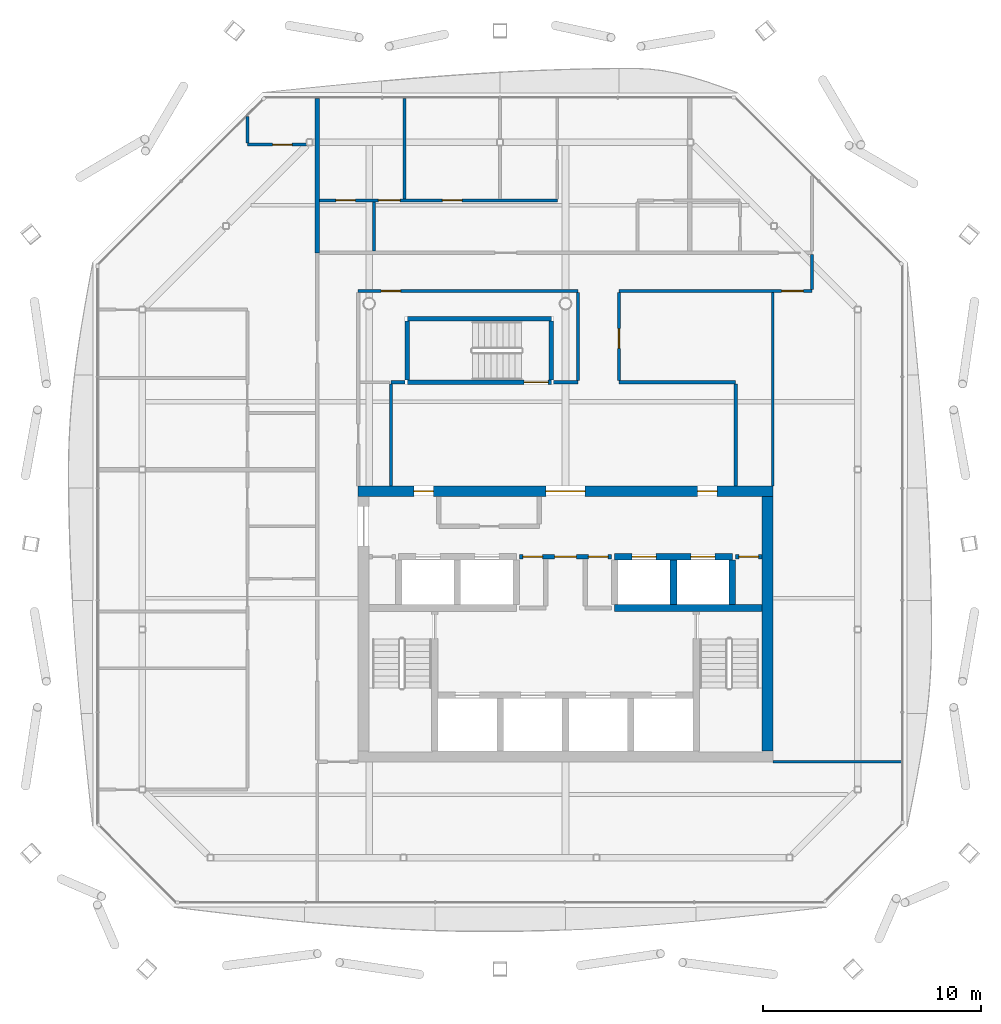
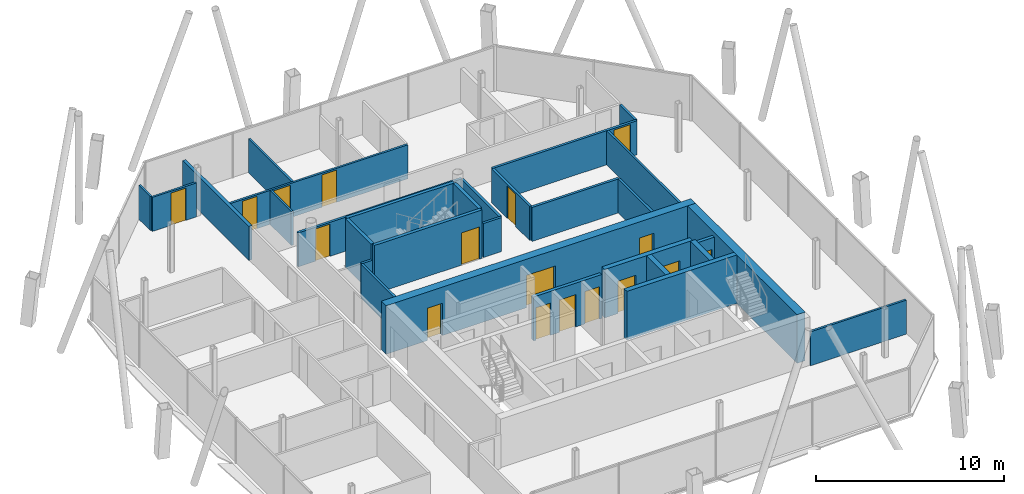
# One storey, part 13 of 17: 30 walls, 17 doors, 17 openings.
"""IFC4 building model written with IfcOpenShell, lengths in metres."""

from ifc_helpers import new_model, si_unit, direction, frame, frame_2d, origin, place, context, subcontext, project, spatial, rectangle, extrude, material, layer, layer_set, type_object, element, fill, save


model = new_model("IFC4")

# Units and contexts
model_context = context("Model", 3, precision=1e-05, world=origin(), true_north=direction((0.0, 1.0)))
body_context = subcontext(model_context, "Body", "Model", "MODEL_VIEW")
ifc_project = project(units=[si_unit("LENGTHUNIT", "METRE"), si_unit("AREAUNIT", "SQUARE_METRE"), si_unit("VOLUMEUNIT", "CUBIC_METRE"), si_unit("PLANEANGLEUNIT", "RADIAN"), si_unit("MASSUNIT", "GRAM", prefix="KILO")], contexts=[model_context])

# Site, building, storey
site_placement = place(None, origin())
site = spatial("IfcSite", under=ifc_project, at=site_placement, CompositionType="ELEMENT")
building_placement = place(site_placement, origin())
building = spatial("IfcBuilding", under=site, at=building_placement, Name="Tskaro Facet Tower", CompositionType="ELEMENT")
storey_placement = place(building_placement, frame((0.0, 0.0, 226.64990234375)))
storey = spatial("IfcBuildingStorey", under=building, at=storey_placement, Name="L58", CompositionType="ELEMENT", Elevation=226.64990234375)

# Wall
ifc_material_1 = material(Name="Concrete C60/75", Category="concrete")
ifc_layer_1 = layer(ifc_material_1, 0.300048828125, Name="Concrete C60/75")
ifc_layer_set_1 = layer_set([ifc_layer_1], Name="Concrete C60/75")
wall_type_1 = type_object("IfcWallType", Name="CORE-SHAFT", PredefinedType="SHEAR", material=ifc_layer_set_1)
wall_1_placement = place(storey_placement, frame((2.25, -4.949951171875, 0.0), z_axis=(0.0, 0.0, 1.0), x_axis=(1.0, 0.0, 0.0)))
element("IfcWall", 1, at=wall_1_placement, inside=storey, type_object=wall_type_1, Name="Shaft wall W011", PredefinedType="SHEAR", context=body_context, shape_type="SweptSolid", body=[
    extrude(rectangle(XDim=6.75, YDim=0.300048828125, at=frame_2d((3.375, 0.0))), origin(), (0.0, 0.0, 1.0), 3.150146484375),
])

# Wall, openings, doors
wall_2_placement = place(storey_placement, frame((2.25, -2.60009765625, 0.0), z_axis=(0.0, 0.0, 1.0), x_axis=(1.0, 0.0, 0.0)))
wall_2 = element("IfcWall", 2, at=wall_2_placement, inside=storey, type_object=wall_type_1, Name="Shaft wall W016", PredefinedType="SHEAR", context=body_context, shape_type="SweptSolid", body=[
    extrude(rectangle(XDim=5.39990234375, YDim=0.300048828125, at=frame_2d((2.699951171875, 0.0))), origin(), (0.0, 0.0, 1.0), 3.150146484375),
])
opening_1_placement = place(wall_2_placement, frame((0.800048828125, 0.0, 0.0)))
opening_1 = element("IfcOpeningElement", 3, at=opening_1_placement, cuts=wall_2, Name="Opening LD-HB3", PredefinedType="OPENING", context=body_context, shape_type="SweptSolid", body=[
    extrude(rectangle(XDim=1.10009765625, YDim=2.10009765625, at=frame_2d((0.550048828125, 1.050048828125))), frame((0.0, 0.159912109375, 0.0), z_axis=(0.0, -1.0, 0.0), x_axis=(1.0, 0.0, 0.0)), (0.0, 0.0, 1.0), 0.320068359375),
])
opening_2_placement = place(wall_2_placement, frame((3.5, 0.0, 0.0)))
opening_2 = element("IfcOpeningElement", 4, at=opening_2_placement, cuts=wall_2, Name="Opening LD-HB4", PredefinedType="OPENING", context=body_context, shape_type="SweptSolid", body=[
    extrude(rectangle(XDim=1.10009765625, YDim=2.10009765625, at=frame_2d((0.550048828125, 1.050048828125))), frame((0.0, 0.159912109375, 0.0), z_axis=(0.0, -1.0, 0.0), x_axis=(1.0, 0.0, 0.0)), (0.0, 0.0, 1.0), 0.320068359375),
])
ifc_material_2 = material(Name="Stainless steel", Category="steel")
door_type_1 = type_object("IfcDoorType", Name="D-LANDING", OperationType="NOTDEFINED", PredefinedType="DOOR", material=ifc_material_2)
door_1_placement = place(opening_1_placement, origin())
door_1 = element("IfcDoor", 5, at=door_1_placement, inside=storey, type_object=door_type_1, Name="Landing door HB3", OperationType="DOUBLE_DOOR_SLIDING", OverallHeight=2.10009765625, OverallWidth=1.10009765625, PredefinedType="DOOR", context=body_context, shape_type="SweptSolid", body=[
    extrude(rectangle(XDim=1.10009765625, YDim=2.10009765625, at=frame_2d((0.550048828125, 1.050048828125))), frame((0.0, 0.02490234375, 0.0), z_axis=(0.0, -1.0, 0.0), x_axis=(1.0, 0.0, 0.0)), (0.0, 0.0, 1.0), 0.050048828125),
])
fill(opening_1, door_1)
door_2_placement = place(opening_2_placement, origin())
door_2 = element("IfcDoor", 6, at=door_2_placement, inside=storey, type_object=door_type_1, Name="Landing door HB4", OperationType="DOUBLE_DOOR_SLIDING", OverallHeight=2.10009765625, OverallWidth=1.10009765625, PredefinedType="DOOR", context=body_context, shape_type="SweptSolid", body=[
    extrude(rectangle(XDim=1.10009765625, YDim=2.10009765625, at=frame_2d((0.550048828125, 1.050048828125))), frame((0.0, 0.02490234375, 0.0), z_axis=(0.0, -1.0, 0.0), x_axis=(1.0, 0.0, 0.0)), (0.0, 0.0, 1.0), 0.050048828125),
])
fill(opening_2, door_2)

# Walls
for number, where, z_axis, x_axis, name in (
    (7, (4.949951171875, -4.800048828125, 0.0), (0.0, 0.0, 1.0), (0.0, 1.0, 0.0), "Shaft wall W067"),
    (8, (7.64990234375, -4.800048828125, 0.0), (0.0, 0.0, 1.0), (0.0, 1.0, 0.0), "Shaft wall W071"),
):
    element("IfcWall", number, at=place(storey_placement, frame(where, z_axis=z_axis, x_axis=x_axis)), inside=storey, type_object=wall_type_1, Name=name, PredefinedType="SHEAR", context=body_context, shape_type="SweptSolid", body=[
        extrude(rectangle(XDim=2.050048828125, YDim=0.300048828125, at=frame_2d((1.02490234375, 0.0))), origin(), (0.0, 0.0, 1.0), 3.150146484375),
    ])

# Wall, openings, doors
ifc_material_3 = material(Name="Concrete C20/25", Category="concrete")
ifc_layer_2 = layer(ifc_material_3, 0.199951171875, Name="Concrete C20/25")
ifc_layer_set_2 = layer_set([ifc_layer_2], Name="Concrete C20/25")
wall_type_2 = type_object("IfcWallType", Name="CORE-WALL", PredefinedType="SOLIDWALL", material=ifc_layer_set_2)
wall_3_placement = place(storey_placement, frame((2.10009765625, -2.60009765625, 0.0), z_axis=(0.0, 0.0, 1.0), x_axis=(-1.0, 0.0, 0.0)))
wall_3 = element("IfcWall", 9, at=wall_3_placement, inside=storey, type_object=wall_type_2, Name="Core room wall W015", PredefinedType="SOLIDWALL", context=body_context, shape_type="SweptSolid", body=[
    extrude(rectangle(XDim=4.2001953125, YDim=0.199951171875, at=frame_2d((2.10009765625, 0.0))), origin(), (0.0, 0.0, 1.0), 2.85009765625),
])
opening_3_placement = place(wall_3_placement, frame((1.60009765625, 0.0, 0.0)))
opening_3 = element("IfcOpeningElement", 10, at=opening_3_placement, cuts=wall_3, Name="Opening FL-D1", PredefinedType="OPENING", context=body_context, shape_type="SweptSolid", body=[
    extrude(rectangle(XDim=1.0, YDim=2.10009765625, at=frame_2d((0.5, 1.050048828125))), frame((0.0, 0.10986328125, 0.0), z_axis=(0.0, -1.0, 0.0), x_axis=(1.0, 0.0, 0.0)), (0.0, 0.0, 1.0), 0.219970703125),
])
opening_4_placement = place(wall_3_placement, frame((3.14990234375, 0.0, 0.0)))
opening_4 = element("IfcOpeningElement", 11, at=opening_4_placement, cuts=wall_3, Name="Opening T17-D08", PredefinedType="OPENING", context=body_context, shape_type="SweptSolid", body=[
    extrude(rectangle(XDim=0.89990234375, YDim=2.10009765625, at=frame_2d((0.449951171875, 1.050048828125))), frame((0.0, 0.10986328125, 0.0), z_axis=(0.0, -1.0, 0.0), x_axis=(1.0, 0.0, 0.0)), (0.0, 0.0, 1.0), 0.219970703125),
])
opening_5_placement = place(wall_3_placement, frame((0.14990234375, 0.0, 0.0)))
opening_5 = element("IfcOpeningElement", 12, at=opening_5_placement, cuts=wall_3, Name="Opening T17-D09", PredefinedType="OPENING", context=body_context, shape_type="SweptSolid", body=[
    extrude(rectangle(XDim=0.89990234375, YDim=2.10009765625, at=frame_2d((0.449951171875, 1.050048828125))), frame((0.0, 0.10986328125, 0.0), z_axis=(0.0, -1.0, 0.0), x_axis=(1.0, 0.0, 0.0)), (0.0, 0.0, 1.0), 0.219970703125),
])
ifc_material_4 = material(Name="Steel", Category="steel")
door_type_2 = type_object("IfcDoorType", Name="D-LOBBY", OperationType="NOTDEFINED", PredefinedType="DOOR", material=ifc_material_4)
door_3_placement = place(opening_3_placement, origin())
door_3 = element("IfcDoor", 13, at=door_3_placement, inside=storey, type_object=door_type_2, Name="Lobby door FL", OperationType="SINGLE_SWING_RIGHT", OverallHeight=2.10009765625, OverallWidth=1.0, PredefinedType="DOOR", context=body_context, shape_type="SweptSolid", body=[
    extrude(rectangle(XDim=1.0, YDim=2.10009765625, at=frame_2d((0.5, 1.050048828125))), frame((0.0, 0.02490234375, 0.0), z_axis=(0.0, -1.0, 0.0), x_axis=(1.0, 0.0, 0.0)), (0.0, 0.0, 1.0), 0.050048828125),
])
fill(opening_3, door_3)
ifc_material_5 = material(Name="Timber", Category="wood")
door_type_3 = type_object("IfcDoorType", Name="D-ROOM", OperationType="NOTDEFINED", PredefinedType="DOOR", material=ifc_material_5)
door_4_placement = place(opening_4_placement, origin())
door_4 = element("IfcDoor", 14, at=door_4_placement, inside=storey, type_object=door_type_3, Name="Door T17-D08", OperationType="SINGLE_SWING_RIGHT", OverallHeight=2.10009765625, OverallWidth=0.89990234375, PredefinedType="DOOR", context=body_context, shape_type="SweptSolid", body=[
    extrude(rectangle(XDim=0.89990234375, YDim=2.10009765625, at=frame_2d((0.449951171875, 1.050048828125))), frame((0.0, 0.02490234375, 0.0), z_axis=(0.0, -1.0, 0.0), x_axis=(1.0, 0.0, 0.0)), (0.0, 0.0, 1.0), 0.050048828125),
])
fill(opening_4, door_4)
door_5_placement = place(opening_5_placement, origin())
door_5 = element("IfcDoor", 15, at=door_5_placement, inside=storey, type_object=door_type_3, Name="Door T17-D09", OperationType="SINGLE_SWING_RIGHT", OverallHeight=2.10009765625, OverallWidth=0.89990234375, PredefinedType="DOOR", context=body_context, shape_type="SweptSolid", body=[
    extrude(rectangle(XDim=0.89990234375, YDim=2.10009765625, at=frame_2d((0.449951171875, 1.050048828125))), frame((0.0, 0.02490234375, 0.0), z_axis=(0.0, -1.0, 0.0), x_axis=(1.0, 0.0, 0.0)), (0.0, 0.0, 1.0), 0.050048828125),
])
fill(opening_5, door_5)

# Wall, opening, door
wall_4_placement = place(storey_placement, frame((9.0, -2.60009765625, 0.0), z_axis=(0.0, 0.0, 1.0), x_axis=(-1.0, 0.0, 0.0)))
wall_4 = element("IfcWall", 16, at=wall_4_placement, inside=storey, type_object=wall_type_2, Name="Core room wall W017", PredefinedType="SOLIDWALL", context=body_context, shape_type="SweptSolid", body=[
    extrude(rectangle(XDim=1.199951171875, YDim=0.199951171875, at=frame_2d((0.60009765625, 0.0))), origin(), (0.0, 0.0, 1.0), 2.85009765625),
])
opening_6_placement = place(wall_4_placement, frame((0.14990234375, 0.0, 0.0)))
opening_6 = element("IfcOpeningElement", 17, at=opening_6_placement, cuts=wall_4, Name="Opening T17-D10", PredefinedType="OPENING", context=body_context, shape_type="SweptSolid", body=[
    extrude(rectangle(XDim=0.89990234375, YDim=2.10009765625, at=frame_2d((0.449951171875, 1.050048828125))), frame((0.0, 0.10986328125, 0.0), z_axis=(0.0, -1.0, 0.0), x_axis=(1.0, 0.0, 0.0)), (0.0, 0.0, 1.0), 0.219970703125),
])
door_6_placement = place(opening_6_placement, origin())
door_6 = element("IfcDoor", 18, at=door_6_placement, inside=storey, type_object=door_type_3, Name="Door T17-D10", OperationType="SINGLE_SWING_RIGHT", OverallHeight=2.10009765625, OverallWidth=0.89990234375, PredefinedType="DOOR", context=body_context, shape_type="SweptSolid", body=[
    extrude(rectangle(XDim=0.89990234375, YDim=2.10009765625, at=frame_2d((0.449951171875, 1.050048828125))), frame((0.0, 0.02490234375, 0.0), z_axis=(0.0, -1.0, 0.0), x_axis=(1.0, 0.0, 0.0)), (0.0, 0.0, 1.0), 0.050048828125),
])
fill(opening_6, door_6)

# Wall, openings, doors
ifc_material_6 = material(Name="Concrete C40/50", Category="concrete")
ifc_layer_3 = layer(ifc_material_6, 0.5, Name="Concrete C40/50")
ifc_layer_set_3 = layer_set([ifc_layer_3], Name="Concrete C40/50")
wall_type_3 = type_object("IfcWallType", Name="Core wall 500", PredefinedType="SHEAR", material=ifc_layer_set_3)
wall_5_placement = place(storey_placement, frame((-9.5, 0.39990234375, 0.0), z_axis=(0.0, 0.0, 1.0), x_axis=(1.0, 0.0, 0.0)))
wall_5 = element("IfcWall", 19, at=wall_5_placement, inside=storey, type_object=wall_type_3, Name="Core wall CW-Z3N", PredefinedType="SHEAR", context=body_context, shape_type="SweptSolid", body=[
    extrude(rectangle(XDim=19.0, YDim=0.5, at=frame_2d((9.5, 0.0))), origin(), (0.0, 0.0, 1.0), 3.150146484375),
])
opening_7_placement = place(wall_5_placement, frame((8.60009765625, 0.0, 0.0)))
opening_7 = element("IfcOpeningElement", 20, at=opening_7_placement, cuts=wall_5, Name="Opening T17-D15", PredefinedType="OPENING", context=body_context, shape_type="SweptSolid", body=[
    extrude(rectangle(XDim=1.800048828125, YDim=2.10009765625, at=frame_2d((0.89990234375, 1.050048828125))), frame((0.0, 0.260009765625, 0.0), z_axis=(0.0, -1.0, 0.0), x_axis=(1.0, 0.0, 0.0)), (0.0, 0.0, 1.0), 0.52001953125),
])
opening_8_placement = place(wall_5_placement, frame((2.550048828125, 0.0, 0.0)))
opening_8 = element("IfcOpeningElement", 21, at=opening_8_placement, cuts=wall_5, Name="Opening T17-D14", PredefinedType="OPENING", context=body_context, shape_type="SweptSolid", body=[
    extrude(rectangle(XDim=0.89990234375, YDim=2.10009765625, at=frame_2d((0.449951171875, 1.050048828125))), frame((0.0, 0.260009765625, 0.0), z_axis=(0.0, -1.0, 0.0), x_axis=(1.0, 0.0, 0.0)), (0.0, 0.0, 1.0), 0.52001953125),
])
opening_9_placement = place(wall_5_placement, frame((15.550048828125, 0.0, 0.0)))
opening_9 = element("IfcOpeningElement", 22, at=opening_9_placement, cuts=wall_5, Name="Opening T17-D16", PredefinedType="OPENING", context=body_context, shape_type="SweptSolid", body=[
    extrude(rectangle(XDim=0.89990234375, YDim=2.10009765625, at=frame_2d((0.449951171875, 1.050048828125))), frame((0.0, 0.260009765625, 0.0), z_axis=(0.0, -1.0, 0.0), x_axis=(1.0, 0.0, 0.0)), (0.0, 0.0, 1.0), 0.52001953125),
])
door_type_4 = type_object("IfcDoorType", Name="D-CORE-PAIR", OperationType="NOTDEFINED", PredefinedType="DOOR", material=ifc_material_4)
door_7_placement = place(opening_7_placement, origin())
door_7 = element("IfcDoor", 23, at=door_7_placement, inside=storey, type_object=door_type_4, Name="Door T17-D15", OperationType="DOUBLE_DOOR_SINGLE_SWING", OverallHeight=2.10009765625, OverallWidth=1.800048828125, PredefinedType="DOOR", context=body_context, shape_type="SweptSolid", body=[
    extrude(rectangle(XDim=1.800048828125, YDim=2.10009765625, at=frame_2d((0.89990234375, 1.050048828125))), frame((0.0, 0.02490234375, 0.0), z_axis=(0.0, -1.0, 0.0), x_axis=(1.0, 0.0, 0.0)), (0.0, 0.0, 1.0), 0.050048828125),
])
fill(opening_7, door_7)
door_8_placement = place(opening_8_placement, origin())
door_8 = element("IfcDoor", 24, at=door_8_placement, inside=storey, type_object=door_type_3, Name="Door T17-D14", OperationType="SINGLE_SWING_LEFT", OverallHeight=2.10009765625, OverallWidth=0.89990234375, PredefinedType="DOOR", context=body_context, shape_type="SweptSolid", body=[
    extrude(rectangle(XDim=0.89990234375, YDim=2.10009765625, at=frame_2d((0.449951171875, 1.050048828125))), frame((0.0, 0.02490234375, 0.0), z_axis=(0.0, -1.0, 0.0), x_axis=(1.0, 0.0, 0.0)), (0.0, 0.0, 1.0), 0.050048828125),
])
fill(opening_8, door_8)
door_9_placement = place(opening_9_placement, origin())
door_9 = element("IfcDoor", 25, at=door_9_placement, inside=storey, type_object=door_type_3, Name="Door T17-D16", OperationType="SINGLE_SWING_LEFT", OverallHeight=2.10009765625, OverallWidth=0.89990234375, PredefinedType="DOOR", context=body_context, shape_type="SweptSolid", body=[
    extrude(rectangle(XDim=0.89990234375, YDim=2.10009765625, at=frame_2d((0.449951171875, 1.050048828125))), frame((0.0, 0.02490234375, 0.0), z_axis=(0.0, -1.0, 0.0), x_axis=(1.0, 0.0, 0.0)), (0.0, 0.0, 1.0), 0.050048828125),
])
fill(opening_9, door_9)

# Walls
wall_6_placement = place(storey_placement, frame((9.25, -11.5, 0.0), z_axis=(0.0, 0.0, 1.0), x_axis=(0.0, 1.0, 0.0)))
element("IfcWall", 26, at=wall_6_placement, inside=storey, type_object=wall_type_3, Name="Core wall CW-Z3E", PredefinedType="SHEAR", context=body_context, shape_type="SweptSolid", body=[
    extrude(rectangle(XDim=11.64990234375, YDim=0.5, at=frame_2d((5.824951171875, 0.0))), origin(), (0.0, 0.0, 1.0), 3.150146484375),
])
ifc_material_7 = material(Name="Gypsum board on steel studs", Category="steel")
ifc_layer_4 = layer(ifc_material_7, 0.125, Name="Gypsum board on steel studs")
ifc_layer_set_4 = layer_set([ifc_layer_4], Name="Gypsum board on steel studs")
wall_type_4 = type_object("IfcWallType", Name="PART", PredefinedType="PARTITIONING", material=ifc_layer_set_4)
wall_7_placement = place(storey_placement, frame((9.5, -12.0, 0.0), z_axis=(0.0, 0.0, 1.0), x_axis=(1.0, 0.0, 0.0)))
element("IfcWall", 27, at=wall_7_placement, inside=storey, type_object=wall_type_4, Name="Partition W004", PredefinedType="PARTITIONING", context=body_context, shape_type="SweptSolid", body=[
    extrude(rectangle(XDim=5.886962890625, YDim=0.125, at=frame_2d((2.943359375, 0.0))), origin(), (0.0, 0.0, 1.0), 2.210205078125),
])

# Wall, openings, doors
wall_8_placement = place(storey_placement, frame((-11.27490234375, 13.72509765625, 0.0), z_axis=(0.0, 0.0, 1.0), x_axis=(1.0, 0.0, 0.0)))
wall_8 = element("IfcWall", 28, at=wall_8_placement, inside=storey, type_object=wall_type_4, Name="Partition W035", PredefinedType="PARTITIONING", context=body_context, shape_type="SweptSolid", body=[
    extrude(rectangle(XDim=10.89990234375, YDim=0.125, at=frame_2d((5.449951171875, 0.0))), origin(), (0.0, 0.0, 1.0), 2.210205078125),
])
opening_10_placement = place(wall_8_placement, frame((5.637451171875, 0.0, 0.0)))
opening_10 = element("IfcOpeningElement", 29, at=opening_10_placement, cuts=wall_8, Name="Opening T17-D30", PredefinedType="OPENING", context=body_context, shape_type="SweptSolid", body=[
    extrude(rectangle(XDim=0.89990234375, YDim=2.10009765625, at=frame_2d((0.449951171875, 1.050048828125))), frame((0.0, 0.072509765625, 0.0), z_axis=(0.0, -1.0, 0.0), x_axis=(1.0, 0.0, 0.0)), (0.0, 0.0, 1.0), 0.14501953125),
])
opening_11_placement = place(wall_8_placement, frame((2.699951171875, 0.0, 0.0)))
opening_11 = element("IfcOpeningElement", 30, at=opening_11_placement, cuts=wall_8, Name="Opening T17-D29", PredefinedType="OPENING", context=body_context, shape_type="SweptSolid", body=[
    extrude(rectangle(XDim=1.0, YDim=2.10009765625, at=frame_2d((0.5, 1.050048828125))), frame((0.0, 0.072509765625, 0.0), z_axis=(0.0, -1.0, 0.0), x_axis=(1.0, 0.0, 0.0)), (0.0, 0.0, 1.0), 0.14501953125),
])
opening_12_placement = place(wall_8_placement, frame((0.75, 0.0, 0.0)))
opening_12 = element("IfcOpeningElement", 31, at=opening_12_placement, cuts=wall_8, Name="Opening T17-D28", PredefinedType="OPENING", context=body_context, shape_type="SweptSolid", body=[
    extrude(rectangle(XDim=0.89990234375, YDim=2.10009765625, at=frame_2d((0.449951171875, 1.050048828125))), frame((0.0, 0.072509765625, 0.0), z_axis=(0.0, -1.0, 0.0), x_axis=(1.0, 0.0, 0.0)), (0.0, 0.0, 1.0), 0.14501953125),
])
door_10_placement = place(opening_10_placement, origin())
door_10 = element("IfcDoor", 32, at=door_10_placement, inside=storey, type_object=door_type_3, Name="Door T17-D30", OperationType="SINGLE_SWING_LEFT", OverallHeight=2.10009765625, OverallWidth=0.89990234375, PredefinedType="DOOR", context=body_context, shape_type="SweptSolid", body=[
    extrude(rectangle(XDim=0.89990234375, YDim=2.10009765625, at=frame_2d((0.449951171875, 1.050048828125))), frame((0.0, 0.02490234375, 0.0), z_axis=(0.0, -1.0, 0.0), x_axis=(1.0, 0.0, 0.0)), (0.0, 0.0, 1.0), 0.050048828125),
])
fill(opening_10, door_10)
door_11_placement = place(opening_12_placement, origin())
door_11 = element("IfcDoor", 33, at=door_11_placement, inside=storey, type_object=door_type_3, Name="Door T17-D28", OperationType="SINGLE_SWING_RIGHT", OverallHeight=2.10009765625, OverallWidth=0.89990234375, PredefinedType="DOOR", context=body_context, shape_type="SweptSolid", body=[
    extrude(rectangle(XDim=0.89990234375, YDim=2.10009765625, at=frame_2d((0.449951171875, 1.050048828125))), frame((0.0, 0.02490234375, 0.0), z_axis=(0.0, -1.0, 0.0), x_axis=(1.0, 0.0, 0.0)), (0.0, 0.0, 1.0), 0.050048828125),
])
fill(opening_12, door_11)
door_type_5 = type_object("IfcDoorType", Name="D-ROOM-WIDE", OperationType="NOTDEFINED", PredefinedType="DOOR", material=ifc_material_5)
door_12_placement = place(opening_11_placement, origin())
door_12 = element("IfcDoor", 34, at=door_12_placement, inside=storey, type_object=door_type_5, Name="Door T17-D29", OperationType="SINGLE_SWING_RIGHT", OverallHeight=2.10009765625, OverallWidth=1.0, PredefinedType="DOOR", context=body_context, shape_type="SweptSolid", body=[
    extrude(rectangle(XDim=1.0, YDim=2.10009765625, at=frame_2d((0.5, 1.050048828125))), frame((0.0, 0.02490234375, 0.0), z_axis=(0.0, -1.0, 0.0), x_axis=(1.0, 0.0, 0.0)), (0.0, 0.0, 1.0), 0.050048828125),
])
fill(opening_11, door_12)

# Wall, opening, door
wall_9_placement = place(storey_placement, frame((-14.574951171875, 16.284912109375, 0.0), z_axis=(0.0, 0.0, 1.0), x_axis=(1.0, 0.0, 0.0)))
wall_9 = element("IfcWall", 35, at=wall_9_placement, inside=storey, type_object=wall_type_4, Name="Partition W037", PredefinedType="PARTITIONING", context=body_context, shape_type="SweptSolid", body=[
    extrude(rectangle(XDim=2.699951171875, YDim=0.125, at=frame_2d((1.35009765625, 0.0))), origin(), (0.0, 0.0, 1.0), 2.210205078125),
])
opening_13_placement = place(wall_9_placement, frame((1.14990234375, 0.0, 0.0)))
opening_13 = element("IfcOpeningElement", 36, at=opening_13_placement, cuts=wall_9, Name="Opening T17-D33", PredefinedType="OPENING", context=body_context, shape_type="SweptSolid", body=[
    extrude(rectangle(XDim=0.89990234375, YDim=2.10009765625, at=frame_2d((0.449951171875, 1.050048828125))), frame((0.0, 0.072509765625, 0.0), z_axis=(0.0, -1.0, 0.0), x_axis=(1.0, 0.0, 0.0)), (0.0, 0.0, 1.0), 0.14501953125),
])
door_13_placement = place(opening_13_placement, origin())
door_13 = element("IfcDoor", 37, at=door_13_placement, inside=storey, type_object=door_type_3, Name="Door T17-D33", OperationType="SINGLE_SWING_LEFT", OverallHeight=2.10009765625, OverallWidth=0.89990234375, PredefinedType="DOOR", context=body_context, shape_type="SweptSolid", body=[
    extrude(rectangle(XDim=0.89990234375, YDim=2.10009765625, at=frame_2d((0.449951171875, 1.050048828125))), frame((0.0, 0.02490234375, 0.0), z_axis=(0.0, -1.0, 0.0), x_axis=(1.0, 0.0, 0.0)), (0.0, 0.0, 1.0), 0.050048828125),
])
fill(opening_13, door_13)

# Walls
wall_10_placement = place(storey_placement, frame((-14.574951171875, 16.347412109375, 0.0), z_axis=(0.0, 0.0, 1.0), x_axis=(0.0, 1.0, 0.0)))
element("IfcWall", 38, at=wall_10_placement, inside=storey, type_object=wall_type_4, Name="Partition W039", PredefinedType="PARTITIONING", context=body_context, shape_type="SweptSolid", body=[
    extrude(rectangle(XDim=1.2236328125, YDim=0.125, at=frame_2d((0.61181640625, 0.0))), origin(), (0.0, 0.0, 1.0), 2.210205078125),
])
wall_11_placement = place(storey_placement, frame((-8.77490234375, 11.39990234375, 0.0), z_axis=(0.0, 0.0, 1.0), x_axis=(0.0, 1.0, 0.0)))
element("IfcWall", 39, at=wall_11_placement, inside=storey, type_object=wall_type_4, Name="Partition W044", PredefinedType="PARTITIONING", context=body_context, shape_type="SweptSolid", body=[
    extrude(rectangle(XDim=2.2626953125, YDim=0.125, at=frame_2d((1.13134765625, 0.0))), origin(), (0.0, 0.0, 1.0), 2.210205078125),
])
wall_12_placement = place(storey_placement, frame((-7.375, 13.78759765625, 0.0), z_axis=(0.0, 0.0, 1.0), x_axis=(0.0, 1.0, 0.0)))
element("IfcWall", 40, at=wall_12_placement, inside=storey, type_object=wall_type_4, Name="Partition W047", PredefinedType="PARTITIONING", context=body_context, shape_type="SweptSolid", body=[
    extrude(rectangle(XDim=4.597412109375, YDim=0.125, at=frame_2d((2.298828125, 0.0))), origin(), (0.0, 0.0, 1.0), 2.210205078125),
])
wall_13_placement = place(storey_placement, frame((9.5, 0.64990234375, 0.0), z_axis=(0.0, 0.0, 1.0), x_axis=(0.0, 1.0, 0.0)))
element("IfcWall", 41, at=wall_13_placement, inside=storey, type_object=wall_type_4, Name="Partition W074", PredefinedType="PARTITIONING", context=body_context, shape_type="SweptSolid", body=[
    extrude(rectangle(XDim=8.85009765625, YDim=0.125, at=frame_2d((4.425048828125, 0.0))), origin(), (0.0, 0.0, 1.0), 2.210205078125),
])
ifc_layer_5 = layer(ifc_material_7, 0.14990234375, Name="Gypsum board on steel studs")
ifc_layer_set_5 = layer_set([ifc_layer_5], Name="Gypsum board on steel studs")
wall_type_5 = type_object("IfcWallType", Name="PART-CORR", PredefinedType="PARTITIONING", material=ifc_layer_set_5)
wall_14_placement = place(storey_placement, frame((-8.0, 5.39990234375, 0.0), z_axis=(0.0, 0.0, 1.0), x_axis=(1.0, 0.0, 0.0)))
element("IfcWall", 42, at=wall_14_placement, inside=storey, type_object=wall_type_5, Name="Corridor wall W024", PredefinedType="PARTITIONING", context=body_context, shape_type="SweptSolid", body=[
    extrude(rectangle(XDim=0.64990234375, YDim=0.14990234375, at=frame_2d((0.324951171875, 0.0))), origin(), (0.0, 0.0, 1.0), 2.210205078125),
])
wall_15_placement = place(storey_placement, frame((-0.550048828125, 5.39990234375, 0.0), z_axis=(0.0, 0.0, 1.0), x_axis=(1.0, 0.0, 0.0)))
element("IfcWall", 43, at=wall_15_placement, inside=storey, type_object=wall_type_5, Name="Corridor wall W026", PredefinedType="PARTITIONING", context=body_context, shape_type="SweptSolid", body=[
    extrude(rectangle(XDim=1.125, YDim=0.14990234375, at=frame_2d((0.5625, 0.0))), origin(), (0.0, 0.0, 1.0), 2.210205078125),
])
wall_16_placement = place(storey_placement, frame((2.449951171875, 5.39990234375, 0.0), z_axis=(0.0, 0.0, 1.0), x_axis=(1.0, 0.0, 0.0)))
element("IfcWall", 44, at=wall_16_placement, inside=storey, type_object=wall_type_5, Name="Corridor wall W027", PredefinedType="PARTITIONING", context=body_context, shape_type="SweptSolid", body=[
    extrude(rectangle(XDim=5.35009765625, YDim=0.14990234375, at=frame_2d((2.675048828125, 0.0))), origin(), (0.0, 0.0, 1.0), 2.210205078125),
])

# Wall, opening, door
wall_17_placement = place(storey_placement, frame((0.574951171875, 9.574951171875, 0.0), z_axis=(0.0, 0.0, 1.0), x_axis=(-1.0, 0.0, 0.0)))
wall_17 = element("IfcWall", 45, at=wall_17_placement, inside=storey, type_object=wall_type_5, Name="Corridor wall W032", PredefinedType="PARTITIONING", context=body_context, shape_type="SweptSolid", body=[
    extrude(rectangle(XDim=10.074951171875, YDim=0.14990234375, at=frame_2d((5.03759765625, 0.0))), origin(), (0.0, 0.0, 1.0), 2.210205078125),
])
opening_14_placement = place(wall_17_placement, frame((8.125, 0.0, 0.0)))
opening_14 = element("IfcOpeningElement", 46, at=opening_14_placement, cuts=wall_17, Name="Opening T17-D23", PredefinedType="OPENING", context=body_context, shape_type="SweptSolid", body=[
    extrude(rectangle(XDim=0.89990234375, YDim=2.10009765625, at=frame_2d((0.449951171875, 1.050048828125))), frame((0.0, 0.0849609375, 0.0), z_axis=(0.0, -1.0, 0.0), x_axis=(1.0, 0.0, 0.0)), (0.0, 0.0, 1.0), 0.169921875),
])
door_14_placement = place(opening_14_placement, origin())
door_14 = element("IfcDoor", 47, at=door_14_placement, inside=storey, type_object=door_type_3, Name="Door T17-D23", OperationType="SINGLE_SWING_RIGHT", OverallHeight=2.10009765625, OverallWidth=0.89990234375, PredefinedType="DOOR", context=body_context, shape_type="SweptSolid", body=[
    extrude(rectangle(XDim=0.89990234375, YDim=2.10009765625, at=frame_2d((0.449951171875, 1.050048828125))), frame((0.0, 0.02490234375, 0.0), z_axis=(0.0, -1.0, 0.0), x_axis=(1.0, 0.0, 0.0)), (0.0, 0.0, 1.0), 0.050048828125),
])
fill(opening_14, door_14)

wall_18_placement = place(storey_placement, frame((11.300048828125, 9.574951171875, 0.0), z_axis=(0.0, 0.0, 1.0), x_axis=(-1.0, 0.0, 0.0)))
wall_18 = element("IfcWall", 48, at=wall_18_placement, inside=storey, type_object=wall_type_5, Name="Corridor wall W033", PredefinedType="PARTITIONING", context=body_context, shape_type="SweptSolid", body=[
    extrude(rectangle(XDim=8.85009765625, YDim=0.14990234375, at=frame_2d((4.425048828125, 0.0))), origin(), (0.0, 0.0, 1.0), 2.210205078125),
])
opening_15_placement = place(wall_18_placement, frame((0.39990234375, 0.0, 0.0)))
opening_15 = element("IfcOpeningElement", 49, at=opening_15_placement, cuts=wall_18, Name="Opening T17-D24", PredefinedType="OPENING", context=body_context, shape_type="SweptSolid", body=[
    extrude(rectangle(XDim=1.0, YDim=2.10009765625, at=frame_2d((0.5, 1.050048828125))), frame((0.0, 0.0849609375, 0.0), z_axis=(0.0, -1.0, 0.0), x_axis=(1.0, 0.0, 0.0)), (0.0, 0.0, 1.0), 0.169921875),
])
door_15_placement = place(opening_15_placement, origin())
door_15 = element("IfcDoor", 50, at=door_15_placement, inside=storey, type_object=door_type_5, Name="Door T17-D24", OperationType="SINGLE_SWING_RIGHT", OverallHeight=2.10009765625, OverallWidth=1.0, PredefinedType="DOOR", context=body_context, shape_type="SweptSolid", body=[
    extrude(rectangle(XDim=1.0, YDim=2.10009765625, at=frame_2d((0.5, 1.050048828125))), frame((0.0, 0.02490234375, 0.0), z_axis=(0.0, -1.0, 0.0), x_axis=(1.0, 0.0, 0.0)), (0.0, 0.0, 1.0), 0.050048828125),
])
fill(opening_15, door_15)

# Walls
wall_19_placement = place(storey_placement, frame((-8.0, 0.64990234375, 0.0), z_axis=(0.0, 0.0, 1.0), x_axis=(0.0, 1.0, 0.0)))
element("IfcWall", 51, at=wall_19_placement, inside=storey, type_object=wall_type_5, Name="Corridor wall W045", PredefinedType="PARTITIONING", context=body_context, shape_type="SweptSolid", body=[
    extrude(rectangle(XDim=4.675048828125, YDim=0.14990234375, at=frame_2d((2.33740234375, 0.0))), origin(), (0.0, 0.0, 1.0), 2.210205078125),
])
wall_20_placement = place(storey_placement, frame((0.574951171875, 5.47509765625, 0.0), z_axis=(0.0, 0.0, 1.0), x_axis=(0.0, 1.0, 0.0)))
element("IfcWall", 52, at=wall_20_placement, inside=storey, type_object=wall_type_5, Name="Corridor wall W061", PredefinedType="PARTITIONING", context=body_context, shape_type="SweptSolid", body=[
    extrude(rectangle(XDim=4.02490234375, YDim=0.14990234375, at=frame_2d((2.012451171875, 0.0))), origin(), (0.0, 0.0, 1.0), 2.210205078125),
])

# Wall, opening, door
wall_21_placement = place(storey_placement, frame((2.449951171875, 9.5, 0.0), z_axis=(0.0, 0.0, 1.0), x_axis=(0.0, -1.0, 0.0)))
wall_21 = element("IfcWall", 53, at=wall_21_placement, inside=storey, type_object=wall_type_5, Name="Corridor wall W064", PredefinedType="PARTITIONING", context=body_context, shape_type="SweptSolid", body=[
    extrude(rectangle(XDim=4.02490234375, YDim=0.14990234375, at=frame_2d((2.012451171875, 0.0))), origin(), (0.0, 0.0, 1.0), 2.210205078125),
])
opening_16_placement = place(wall_21_placement, frame((1.64990234375, 0.0, 0.0)))
opening_16 = element("IfcOpeningElement", 54, at=opening_16_placement, cuts=wall_21, Name="Opening T17-D21", PredefinedType="OPENING", context=body_context, shape_type="SweptSolid", body=[
    extrude(rectangle(XDim=0.89990234375, YDim=2.10009765625, at=frame_2d((0.449951171875, 1.050048828125))), frame((0.0, 0.0849609375, 0.0), z_axis=(0.0, -1.0, 0.0), x_axis=(1.0, 0.0, 0.0)), (0.0, 0.0, 1.0), 0.169921875),
])
door_16_placement = place(opening_16_placement, origin())
door_16 = element("IfcDoor", 55, at=door_16_placement, inside=storey, type_object=door_type_3, Name="Door T17-D21", OperationType="SINGLE_SWING_RIGHT", OverallHeight=2.10009765625, OverallWidth=0.89990234375, PredefinedType="DOOR", context=body_context, shape_type="SweptSolid", body=[
    extrude(rectangle(XDim=0.89990234375, YDim=2.10009765625, at=frame_2d((0.449951171875, 1.050048828125))), frame((0.0, 0.02490234375, 0.0), z_axis=(0.0, -1.0, 0.0), x_axis=(1.0, 0.0, 0.0)), (0.0, 0.0, 1.0), 0.050048828125),
])
fill(opening_16, door_16)

# Walls
wall_22_placement = place(storey_placement, frame((7.800048828125, 0.64990234375, 0.0), z_axis=(0.0, 0.0, 1.0), x_axis=(0.0, 1.0, 0.0)))
element("IfcWall", 56, at=wall_22_placement, inside=storey, type_object=wall_type_5, Name="Corridor wall W072", PredefinedType="PARTITIONING", context=body_context, shape_type="SweptSolid", body=[
    extrude(rectangle(XDim=4.675048828125, YDim=0.14990234375, at=frame_2d((2.33740234375, 0.0))), origin(), (0.0, 0.0, 1.0), 2.210205078125),
])
wall_23_placement = place(storey_placement, frame((11.300048828125, 9.64990234375, 0.0), z_axis=(0.0, 0.0, 1.0), x_axis=(0.0, 1.0, 0.0)))
element("IfcWall", 57, at=wall_23_placement, inside=storey, type_object=wall_type_5, Name="Corridor wall W075", PredefinedType="PARTITIONING", context=body_context, shape_type="SweptSolid", body=[
    extrude(rectangle(XDim=1.60009765625, YDim=0.14990234375, at=frame_2d((0.800048828125, 0.0))), origin(), (0.0, 0.0, 1.0), 2.210205078125),
])
ifc_layer_6 = layer(ifc_material_7, 0.199951171875, Name="Gypsum board on steel studs")
ifc_layer_set_6 = layer_set([ifc_layer_6], Name="Gypsum board on steel studs")
wall_type_6 = type_object("IfcWallType", Name="PART-DEMISING", PredefinedType="PARTITIONING", material=ifc_layer_set_6)
wall_24_placement = place(storey_placement, frame((-11.375, 11.324951171875, 0.0), z_axis=(0.0, 0.0, 1.0), x_axis=(0.0, 1.0, 0.0)))
element("IfcWall", 58, at=wall_24_placement, inside=storey, type_object=wall_type_6, Name="Guest room wall W042", PredefinedType="PARTITIONING", context=body_context, shape_type="SweptSolid", body=[
    extrude(rectangle(XDim=7.06005859375, YDim=0.199951171875, at=frame_2d((3.530029296875, 0.0))), origin(), (0.0, 0.0, 1.0), 2.210205078125),
])

# Wall, opening, door
ifc_layer_7 = layer(ifc_material_1, 0.199951171875, Name="Concrete C60/75")
ifc_layer_set_7 = layer_set([ifc_layer_7], Name="Concrete C60/75")
wall_type_7 = type_object("IfcWallType", Name="STAIR-WALL", PredefinedType="SHEAR", material=ifc_layer_set_7)
wall_25_placement = place(storey_placement, frame((-7.25, 5.39990234375, 0.0), z_axis=(0.0, 0.0, 1.0), x_axis=(1.0, 0.0, 0.0)))
wall_25 = element("IfcWall", 59, at=wall_25_placement, inside=storey, type_object=wall_type_7, Name="Stair wall W025", PredefinedType="SHEAR", context=body_context, shape_type="SweptSolid", body=[
    extrude(rectangle(XDim=6.60009765625, YDim=0.199951171875, at=frame_2d((3.300048828125, 0.0))), origin(), (0.0, 0.0, 1.0), 3.150146484375),
])
opening_17_placement = place(wall_25_placement, frame((5.35009765625, 0.0, 0.0)))
opening_17 = element("IfcOpeningElement", 60, at=opening_17_placement, cuts=wall_25, Name="Opening ST-3-D1", PredefinedType="OPENING", context=body_context, shape_type="SweptSolid", body=[
    extrude(rectangle(XDim=1.10009765625, YDim=2.10009765625, at=frame_2d((0.550048828125, 1.050048828125))), frame((0.0, 0.10986328125, 0.0), z_axis=(0.0, -1.0, 0.0), x_axis=(1.0, 0.0, 0.0)), (0.0, 0.0, 1.0), 0.219970703125),
])
door_type_6 = type_object("IfcDoorType", Name="D-STAIR", OperationType="NOTDEFINED", PredefinedType="DOOR", material=ifc_material_4)
door_17_placement = place(opening_17_placement, origin())
door_17 = element("IfcDoor", 61, at=door_17_placement, inside=storey, type_object=door_type_6, Name="Stair door 3", OperationType="SINGLE_SWING_LEFT", OverallHeight=2.10009765625, OverallWidth=1.10009765625, PredefinedType="DOOR", context=body_context, shape_type="SweptSolid", body=[
    extrude(rectangle(XDim=1.10009765625, YDim=2.10009765625, at=frame_2d((0.550048828125, 1.050048828125))), frame((0.0, 0.02490234375, 0.0), z_axis=(0.0, -1.0, 0.0), x_axis=(1.0, 0.0, 0.0)), (0.0, 0.0, 1.0), 0.050048828125),
])
fill(opening_17, door_17)

# Walls
wall_26_placement = place(storey_placement, frame((-7.25, 8.300048828125, 0.0), z_axis=(0.0, 0.0, 1.0), x_axis=(1.0, 0.0, 0.0)))
element("IfcWall", 62, at=wall_26_placement, inside=storey, type_object=wall_type_7, Name="Stair wall W029", PredefinedType="SHEAR", context=body_context, shape_type="SweptSolid", body=[
    extrude(rectangle(XDim=6.60009765625, YDim=0.199951171875, at=frame_2d((3.300048828125, 0.0))), origin(), (0.0, 0.0, 1.0), 3.150146484375),
])
for number, where, z_axis, x_axis, name in (
    (63, (-7.25, 5.5, 0.0), (0.0, 0.0, 1.0), (0.0, 1.0, 0.0), "Stair wall W048"),
    (64, (-0.64990234375, 5.5, 0.0), (0.0, 0.0, 1.0), (0.0, 1.0, 0.0), "Stair wall W058"),
):
    element("IfcWall", number, at=place(storey_placement, frame(where, z_axis=z_axis, x_axis=x_axis)), inside=storey, type_object=wall_type_7, Name=name, PredefinedType="SHEAR", context=body_context, shape_type="SweptSolid", body=[
        extrude(rectangle(XDim=2.699951171875, YDim=0.199951171875, at=frame_2d((1.35009765625, 0.0))), origin(), (0.0, 0.0, 1.0), 3.150146484375),
    ])

save(model, "model.ifc")
